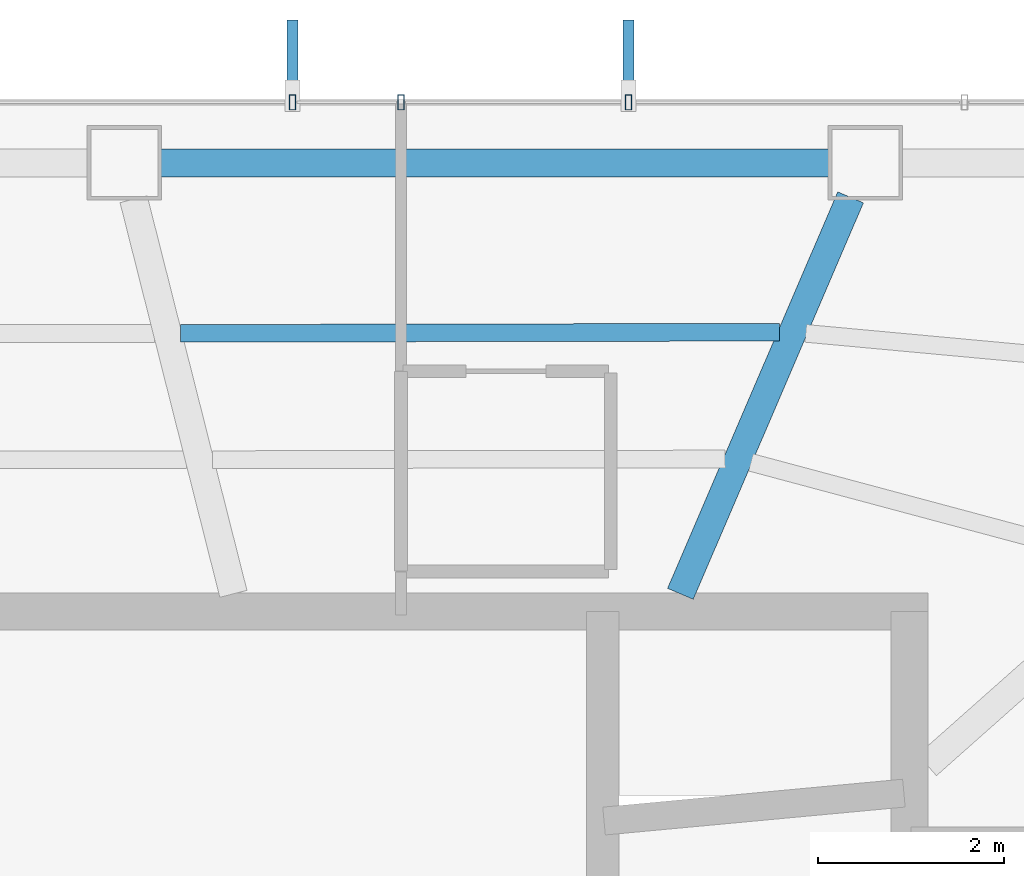
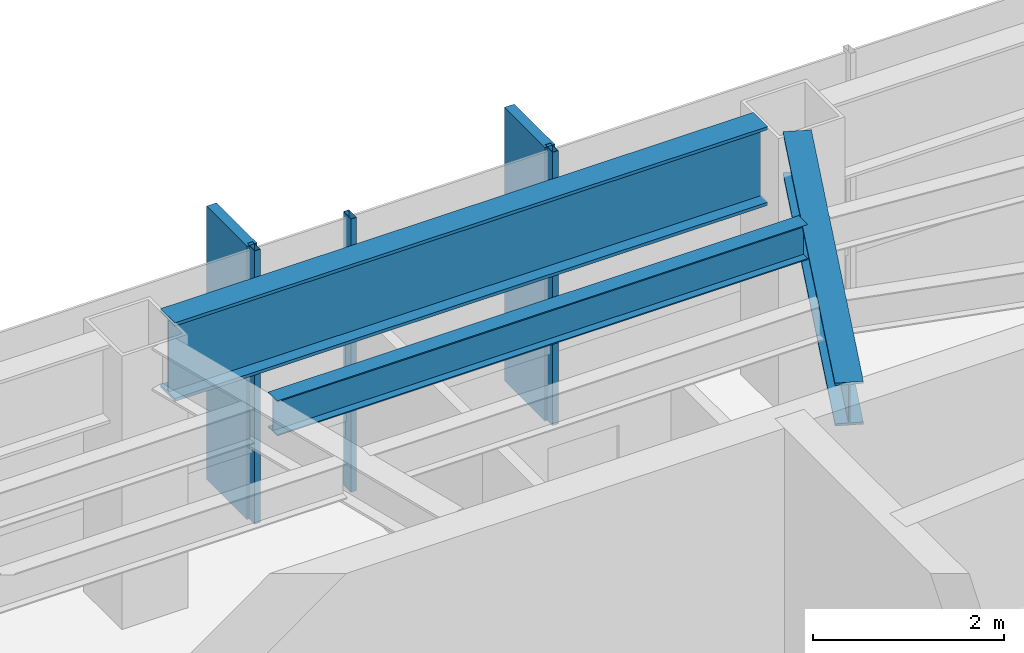
# One storey, part 15 of 28: 5 members, 3 beams, 1 element without a shape of its own.
"""IFC4 building model written with IfcOpenShell, lengths in metres."""

from ifc_helpers import new_model, si_unit, direction, frame, origin, origin_2d, place, context, subcontext, project, spatial, rectangle, hollow_rectangle, i_section, extrude, material, layer, layer_set, material_profile, profile_set, type_object, element, aggregate, save


model = new_model("IFC4")

# Units and contexts
model_context = context("Model", 3, precision=1e-05, world=origin(), true_north=direction((0.0, 1.0)))
body_context = subcontext(model_context, "Body", "Model", "MODEL_VIEW")
ifc_project = project(units=[si_unit("LENGTHUNIT", "METRE"), si_unit("AREAUNIT", "SQUARE_METRE"), si_unit("VOLUMEUNIT", "CUBIC_METRE"), si_unit("PLANEANGLEUNIT", "RADIAN"), si_unit("MASSUNIT", "GRAM", prefix="KILO")], contexts=[model_context])

# Site, building, storey
site_placement = place(None, origin())
site = spatial("IfcSite", under=ifc_project, at=site_placement, CompositionType="ELEMENT")
building_placement = place(site_placement, origin())
building = spatial("IfcBuilding", under=site, at=building_placement, Name="Zarrinselat Tower", CompositionType="ELEMENT")
storey_placement = place(building_placement, frame((0.0, 0.0, 157.080078125)))
storey = spatial("IfcBuildingStorey", under=building, at=storey_placement, Name="L38", CompositionType="ELEMENT", Elevation=157.080078125)

# Beams
ifc_material_1 = material(Name="Steel S355J2", Category="steel")
ifc_material_profile_1 = material_profile(ifc_material_1, i_section(OverallWidth=0.300048828125, OverallDepth=0.550048828125, WebThickness=0.014892578125, FlangeThickness=0.029052734375, at=origin_2d()), Name="HEB 550")
ifc_profile_set_1 = profile_set([ifc_material_profile_1], Name="Steel S355J2")
beam_type_1 = type_object("IfcBeamType", Name="BM-HEB550", PredefinedType="BEAM", material=ifc_profile_set_1)
beam_1_placement = place(storey_placement, frame((45.800048828125, 43.639892578125, 3.224853515625), z_axis=(0.394434391847, 0.918924104879, 0.0), x_axis=(-0.918924104879, 0.394434391847, 0.0)))
element("IfcBeam", 1, at=beam_1_placement, inside=storey, type_object=beam_type_1, Name="L38 Radial Primary Girder RG02", PredefinedType="BEAM", context=body_context, shape_type="SweptSolid", body=[
    extrude(i_section(OverallWidth=0.300048828125, OverallDepth=0.550048828125, WebThickness=0.014892578125, FlangeThickness=0.029052734375, at=origin_2d()), origin(), (0.0, 0.0, 1.0), 4.633056640625),
])
ifc_material_2 = material(Name="Steel S460M", Category="steel")
ifc_material_profile_2 = material_profile(ifc_material_2, i_section(OverallWidth=0.302001953125, OverallDepth=1.008056640625, WebThickness=0.02099609375, FlangeThickness=0.0400390625, at=origin_2d()), Name="HEM 1000")
ifc_profile_set_2 = profile_set([ifc_material_profile_2], Name="Steel S460M")
beam_type_2 = type_object("IfcBeamType", Name="BM-HEM1000", PredefinedType="BEAM", material=ifc_profile_set_2)
beam_2_placement = place(storey_placement, frame((40.218017578125, 48.2666015625, 2.995849609375), z_axis=(1.0, 0.0, 0.0), x_axis=(0.0, 1.0, 0.0)))
element("IfcBeam", 2, at=beam_2_placement, inside=storey, type_object=beam_type_2, Name="L38 Perimeter Spandrel Girder SP02", PredefinedType="BEAM", context=body_context, shape_type="SweptSolid", body=[
    extrude(i_section(OverallWidth=0.302001953125, OverallDepth=1.008056640625, WebThickness=0.02099609375, FlangeThickness=0.0400390625, at=origin_2d()), origin(), (0.0, 0.0, 1.0), 7.18017578125),
])
ifc_material_3 = material(Name="Steel S355J2", Category="steel")
ifc_material_profile_3 = material_profile(ifc_material_3, i_section(OverallWidth=0.18994140625, OverallDepth=0.449951171875, WebThickness=0.009521484375, FlangeThickness=0.0146484375, at=origin_2d()), Name="IPE 450")
ifc_profile_set_3 = profile_set([ifc_material_profile_3], Name="Steel S355J2")
beam_type_3 = type_object("IfcBeamType", Name="BM-IPE450", PredefinedType="JOIST", material=ifc_profile_set_3)
beam_3_placement = place(storey_placement, frame((40.432861328125, 46.436767578125, 3.27490234375), z_axis=(0.999998052932, 0.001973355803, 0.0), x_axis=(-0.001973355803, 0.999998052932, 0.0)))
element("IfcBeam", 3, at=beam_3_placement, inside=storey, type_object=beam_type_3, Name="L38 Composite Floor Joist 6-1", PredefinedType="JOIST", context=body_context, shape_type="SweptSolid", body=[
    extrude(i_section(OverallWidth=0.18994140625, OverallDepth=0.449951171875, WebThickness=0.009521484375, FlangeThickness=0.0146484375, at=origin_2d()), origin(), (0.0, 0.0, 1.0), 6.433349609375),
])

# Curtain wall, members
ifc_material_4 = material(Name="Extruded Aluminium Alloy EN AW-6063 T6", Category="aluminium")
ifc_layer = layer(ifc_material_4, 0.175048828125)
ifc_layer_set = layer_set([ifc_layer], Name="Extruded Aluminium Alloy EN AW-6063 T6")
curtain_wall_type = type_object("IfcCurtainWallType", Name="CWS-HTL", PredefinedType="NOTDEFINED", material=ifc_layer_set)
curtain_wall_placement = place(storey_placement, origin())
curtain_wall = element("IfcCurtainWall", 4, at=curtain_wall_placement, inside=storey, type_object=curtain_wall_type, Name="L38 Unitised Curtain Wall CW-L38-E03", PredefinedType="NOTDEFINED")
ifc_material_5 = material(Name="Extruded Aluminium Alloy EN AW-6063 T6", Category="aluminium")
ifc_material_profile_4 = material_profile(ifc_material_5, hollow_rectangle(XDim=0.070068359375, YDim=0.159912109375, WallThickness=0.00390625, at=origin_2d()), Name="RHS 160x70x4")
ifc_profile_set_4 = profile_set([ifc_material_profile_4], Name="Extruded Aluminium Alloy EN AW-6063 T6")
member_type_1 = type_object("IfcMemberType", Name="MEM-CW-MUL2", PredefinedType="MULLION", material=ifc_profile_set_4)
member_1_placement = place(storey_placement, frame((41.634033203125, 48.916748046875, 0.0), z_axis=(0.0, 0.0, 1.0), x_axis=(1.0, 0.0, 0.0)))
member_1 = element("IfcMember", 5, at=member_1_placement, type_object=member_type_1, Name="CW-L38-E03 Mullion 5", PredefinedType="MULLION", context=body_context, shape_type="SweptSolid", body=[
    extrude(hollow_rectangle(XDim=0.070068359375, YDim=0.159912109375, WallThickness=0.00390625, at=origin_2d()), origin(), (0.0, 0.0, 1.0), 3.5),
])
member_2_placement = place(storey_placement, frame((42.800048828125, 48.916748046875, 0.0), z_axis=(0.0, 0.0, 1.0), x_axis=(1.0, 0.0, 0.0)))
member_2 = element("IfcMember", 6, at=member_2_placement, type_object=member_type_1, Name="CW-L38-E03 Mullion 6", PredefinedType="MULLION", context=body_context, shape_type="SweptSolid", body=[
    extrude(hollow_rectangle(XDim=0.070068359375, YDim=0.159912109375, WallThickness=0.00390625, at=origin_2d()), origin(), (0.0, 0.0, 1.0), 3.5),
])
member_3_placement = place(storey_placement, frame((45.24169921875, 48.916748046875, 0.0), z_axis=(0.0, 0.0, 1.0), x_axis=(1.0, 0.0, 0.0)))
member_3 = element("IfcMember", 7, at=member_3_placement, type_object=member_type_1, Name="CW-L38-E03 Mullion 7", PredefinedType="MULLION", context=body_context, shape_type="SweptSolid", body=[
    extrude(hollow_rectangle(XDim=0.070068359375, YDim=0.159912109375, WallThickness=0.00390625, at=origin_2d()), origin(), (0.0, 0.0, 1.0), 3.5),
])
ifc_material_6 = material(Name="Honed Cream Travertine Stone", Category="masonry")
ifc_material_profile_5 = material_profile(ifc_material_6, rectangle(XDim=0.1201171875, YDim=0.85009765625, at=origin_2d()), Name="FIN 850x120")
ifc_profile_set_5 = profile_set([ifc_material_profile_5], Name="Honed Cream Travertine Stone")
member_type_2 = type_object("IfcMemberType", Name="MEM-STONE-FIN", PredefinedType="USERDEFINED", material=ifc_profile_set_5)
member_4_placement = place(storey_placement, frame((41.634033203125, 49.376708984375, 0.0), z_axis=(0.0, 0.0, 1.0), x_axis=(1.0, 0.0, 0.0)))
member_4 = element("IfcMember", 8, at=member_4_placement, type_object=member_type_2, Name="L38 Stone Shading Fin CW-L38-E03-05", ObjectType="FIN", PredefinedType="USERDEFINED", context=body_context, shape_type="SweptSolid", body=[
    extrude(rectangle(XDim=0.1201171875, YDim=0.85009765625, at=origin_2d()), origin(), (0.0, 0.0, 1.0), 3.5),
])
member_5_placement = place(storey_placement, frame((45.24169921875, 49.376708984375, 0.0), z_axis=(0.0, 0.0, 1.0), x_axis=(1.0, 0.0, 0.0)))
member_5 = element("IfcMember", 9, at=member_5_placement, type_object=member_type_2, Name="L38 Stone Shading Fin CW-L38-E03-07", ObjectType="FIN", PredefinedType="USERDEFINED", context=body_context, shape_type="SweptSolid", body=[
    extrude(rectangle(XDim=0.1201171875, YDim=0.85009765625, at=origin_2d()), origin(), (0.0, 0.0, 1.0), 3.5),
])
aggregate(curtain_wall, [member_1, member_4, member_2, member_3, member_5])

save(model, "model.ifc")
